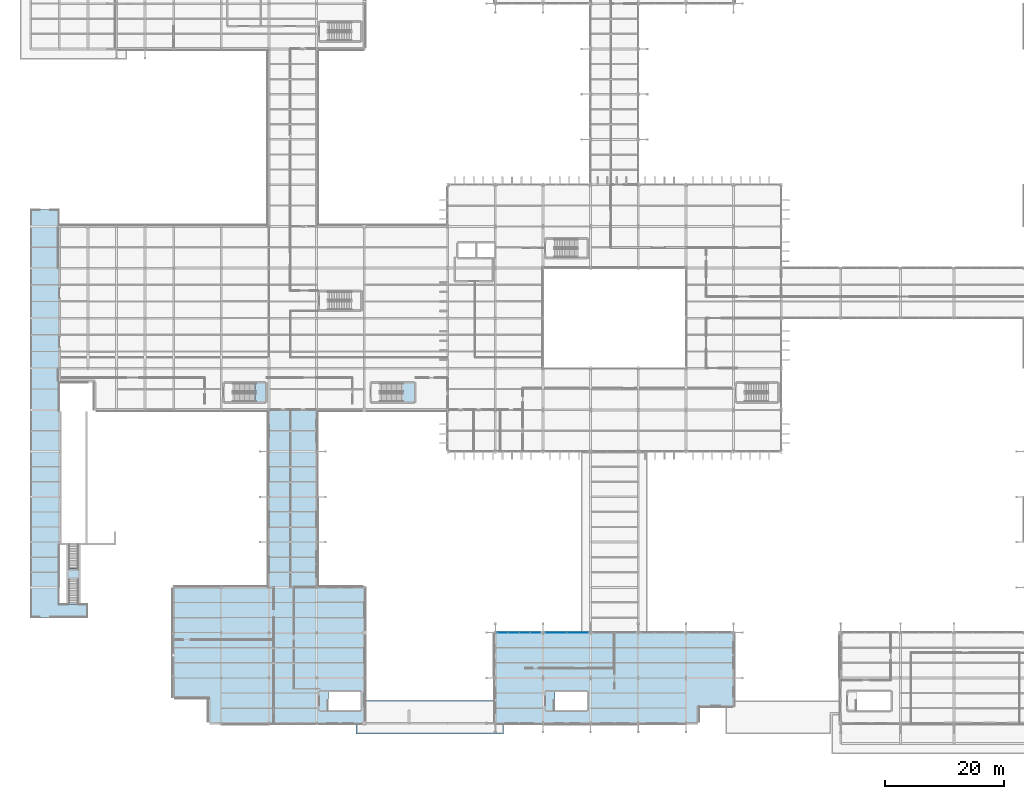
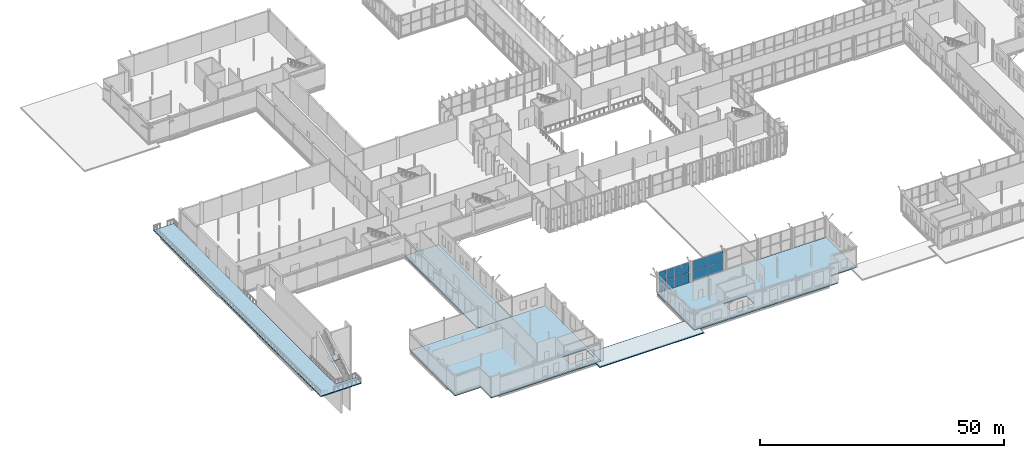
# One storey, part 99 of 147: 12 plates, 8 slabs, 5 elements without a shape of their own.
"""IFC4 building model written with IfcOpenShell, lengths in metres."""

from ifc_helpers import new_model, si_unit, direction, frame, origin, origin_2d, place, context, subcontext, project, spatial, polyline, rectangle, outline, extrude, material, layer, layer_set, type_object, element, aggregate, save


model = new_model("IFC4")

# Units and contexts
model_context = context("Model", 3, precision=1e-05, world=origin(), true_north=direction((0.0, 1.0)))
body_context = subcontext(model_context, "Body", "Model", "MODEL_VIEW")
ifc_project = project(units=[si_unit("LENGTHUNIT", "METRE"), si_unit("AREAUNIT", "SQUARE_METRE"), si_unit("VOLUMEUNIT", "CUBIC_METRE"), si_unit("PLANEANGLEUNIT", "RADIAN"), si_unit("MASSUNIT", "GRAM", prefix="KILO")], contexts=[model_context])

# Site, building, storey
site_placement = place(None, origin())
site = spatial("IfcSite", under=ifc_project, at=site_placement, CompositionType="ELEMENT")
building_placement = place(site_placement, origin())
building = spatial("IfcBuilding", under=site, at=building_placement, Name="Vekula Escarpment Museum", CompositionType="ELEMENT")
storey_placement = place(building_placement, frame((0.0, 0.0, 7.800048828125)))
storey = spatial("IfcBuildingStorey", under=building, at=storey_placement, Name="L02", CompositionType="ELEMENT", Elevation=7.800048828125)

# Curtain wall, plates
ifc_material_1 = material(Name="Aluminium thermally broken framing", Category="aluminium")
ifc_layer_1 = layer(ifc_material_1, 0.179931640625)
ifc_layer_set_1 = layer_set([ifc_layer_1], Name="Aluminium thermally broken framing")
curtain_wall_type_1 = type_object("IfcCurtainWallType", Name="CW-SYS-08", PredefinedType="NOTDEFINED", material=ifc_layer_set_1)
curtain_wall_1_placement = place(storey_placement, origin())
curtain_wall_1 = element("IfcCurtainWall", 1, at=curtain_wall_1_placement, inside=storey, type_object=curtain_wall_type_1, Name="Curtain Wall CW-L02-098", PredefinedType="NOTDEFINED")
ifc_material_2 = material(Name="Triple UV-filtered museum gallery glass", Category="glass")
ifc_layer_2 = layer(ifc_material_2, 0.035888671875)
ifc_layer_set_2 = layer_set([ifc_layer_2], Name="Triple UV-filtered museum gallery glass")
plate_type_1 = type_object("IfcPlateType", Name="CW-PNL-36", PredefinedType="CURTAIN_PANEL", material=ifc_layer_set_2)
plate_1_placement = place(storey_placement, frame((91.8037109375, 15.199951171875, 0.06494140625), z_axis=(0.0, 0.0, 1.0), x_axis=(-1.0, 0.0, 0.0)))
plate_1 = element("IfcPlate", 2, at=plate_1_placement, type_object=plate_type_1, Name="CW-08 panel 1.1", PredefinedType="CURTAIN_PANEL", context=body_context, shape_type="SweptSolid", body=[
    extrude(rectangle(XDim=3.54248046875, YDim=0.035888671875, at=origin_2d()), origin(), (0.0, 0.0, 1.0), 2.4775390625),
])
plate_2_placement = place(storey_placement, frame((91.8037109375, 15.199951171875, 2.607421875), z_axis=(0.0, 0.0, 1.0), x_axis=(-1.0, 0.0, 0.0)))
plate_2 = element("IfcPlate", 3, at=plate_2_placement, type_object=plate_type_1, Name="CW-08 panel 1.2", PredefinedType="CURTAIN_PANEL", context=body_context, shape_type="SweptSolid", body=[
    extrude(rectangle(XDim=3.54248046875, YDim=0.035888671875, at=origin_2d()), origin(), (0.0, 0.0, 1.0), 2.4775390625),
])
plate_3_placement = place(storey_placement, frame((88.1962890625, 15.199951171875, 0.06494140625), z_axis=(0.0, 0.0, 1.0), x_axis=(-1.0, 0.0, 0.0)))
plate_3 = element("IfcPlate", 4, at=plate_3_placement, type_object=plate_type_1, Name="CW-08 panel 2.1", PredefinedType="CURTAIN_PANEL", context=body_context, shape_type="SweptSolid", body=[
    extrude(rectangle(XDim=3.54248046875, YDim=0.035888671875, at=origin_2d()), origin(), (0.0, 0.0, 1.0), 2.4775390625),
])
plate_4_placement = place(storey_placement, frame((88.1962890625, 15.199951171875, 2.607421875), z_axis=(0.0, 0.0, 1.0), x_axis=(-1.0, 0.0, 0.0)))
plate_4 = element("IfcPlate", 5, at=plate_4_placement, type_object=plate_type_1, Name="CW-08 panel 2.2", PredefinedType="CURTAIN_PANEL", context=body_context, shape_type="SweptSolid", body=[
    extrude(rectangle(XDim=3.54248046875, YDim=0.035888671875, at=origin_2d()), origin(), (0.0, 0.0, 1.0), 2.4775390625),
])
aggregate(curtain_wall_1, [plate_1, plate_2, plate_3, plate_4])

ifc_material_3 = material(Name="Aluminium thermally broken framing", Category="aluminium")
ifc_layer_3 = layer(ifc_material_3, 0.14990234375)
ifc_layer_set_3 = layer_set([ifc_layer_3], Name="Aluminium thermally broken framing")
curtain_wall_type_2 = type_object("IfcCurtainWallType", Name="CW-SYS-09", PredefinedType="NOTDEFINED", material=ifc_layer_set_3)
curtain_wall_2_placement = place(storey_placement, origin())
curtain_wall_2 = element("IfcCurtainWall", 6, at=curtain_wall_2_placement, inside=storey, type_object=curtain_wall_type_2, Name="Curtain Wall CW-L02-099", PredefinedType="NOTDEFINED")
ifc_material_4 = material(Name="Insulated bronze spandrel glass panel", Category="glass")
ifc_layer_4 = layer(ifc_material_4, 0.0400390625)
ifc_layer_set_4 = layer_set([ifc_layer_4], Name="Insulated bronze spandrel glass panel")
plate_type_2 = type_object("IfcPlateType", Name="CW-PNL-40", PredefinedType="CURTAIN_PANEL", material=ifc_layer_set_4)
plate_5_placement = place(storey_placement, frame((84.7138671875, 15.199951171875, 0.06494140625), z_axis=(0.0, 0.0, 1.0), x_axis=(-1.0, 0.0, 0.0)))
plate_5 = element("IfcPlate", 7, at=plate_5_placement, type_object=plate_type_2, Name="CW-09 panel 1.1", PredefinedType="CURTAIN_PANEL", context=body_context, shape_type="SweptSolid", body=[
    extrude(rectangle(XDim=1.722412109375, YDim=0.0400390625, at=origin_2d()), origin(), (0.0, 0.0, 1.0), 2.4775390625),
])
plate_6_placement = place(storey_placement, frame((84.7138671875, 15.199951171875, 2.607421875), z_axis=(0.0, 0.0, 1.0), x_axis=(-1.0, 0.0, 0.0)))
plate_6 = element("IfcPlate", 8, at=plate_6_placement, type_object=plate_type_2, Name="CW-09 panel 1.2", PredefinedType="CURTAIN_PANEL", context=body_context, shape_type="SweptSolid", body=[
    extrude(rectangle(XDim=1.722412109375, YDim=0.0400390625, at=origin_2d()), origin(), (0.0, 0.0, 1.0), 2.4775390625),
])
plate_7_placement = place(storey_placement, frame((82.909912109375, 15.199951171875, 0.06494140625), z_axis=(0.0, 0.0, 1.0), x_axis=(-1.0, 0.0, 0.0)))
plate_7 = element("IfcPlate", 9, at=plate_7_placement, type_object=plate_type_2, Name="CW-09 panel 2.1", PredefinedType="CURTAIN_PANEL", context=body_context, shape_type="SweptSolid", body=[
    extrude(rectangle(XDim=1.7548828125, YDim=0.0400390625, at=origin_2d()), origin(), (0.0, 0.0, 1.0), 2.4775390625),
])
plate_8_placement = place(storey_placement, frame((82.909912109375, 15.199951171875, 2.607421875), z_axis=(0.0, 0.0, 1.0), x_axis=(-1.0, 0.0, 0.0)))
plate_8 = element("IfcPlate", 10, at=plate_8_placement, type_object=plate_type_2, Name="CW-09 panel 2.2", PredefinedType="CURTAIN_PANEL", context=body_context, shape_type="SweptSolid", body=[
    extrude(rectangle(XDim=1.7548828125, YDim=0.0400390625, at=origin_2d()), origin(), (0.0, 0.0, 1.0), 2.4775390625),
])
plate_9_placement = place(storey_placement, frame((81.090087890625, 15.199951171875, 0.06494140625), z_axis=(0.0, 0.0, 1.0), x_axis=(-1.0, 0.0, 0.0)))
plate_9 = element("IfcPlate", 11, at=plate_9_placement, type_object=plate_type_2, Name="CW-09 panel 3.1", PredefinedType="CURTAIN_PANEL", context=body_context, shape_type="SweptSolid", body=[
    extrude(rectangle(XDim=1.7548828125, YDim=0.0400390625, at=origin_2d()), origin(), (0.0, 0.0, 1.0), 2.4775390625),
])
plate_10_placement = place(storey_placement, frame((81.090087890625, 15.199951171875, 2.607421875), z_axis=(0.0, 0.0, 1.0), x_axis=(-1.0, 0.0, 0.0)))
plate_10 = element("IfcPlate", 12, at=plate_10_placement, type_object=plate_type_2, Name="CW-09 panel 3.2", PredefinedType="CURTAIN_PANEL", context=body_context, shape_type="SweptSolid", body=[
    extrude(rectangle(XDim=1.7548828125, YDim=0.0400390625, at=origin_2d()), origin(), (0.0, 0.0, 1.0), 2.4775390625),
])
plate_11_placement = place(storey_placement, frame((79.2861328125, 15.199951171875, 0.06494140625), z_axis=(0.0, 0.0, 1.0), x_axis=(-1.0, 0.0, 0.0)))
plate_11 = element("IfcPlate", 13, at=plate_11_placement, type_object=plate_type_2, Name="CW-09 panel 4.1", PredefinedType="CURTAIN_PANEL", context=body_context, shape_type="SweptSolid", body=[
    extrude(rectangle(XDim=1.722412109375, YDim=0.0400390625, at=origin_2d()), origin(), (0.0, 0.0, 1.0), 2.4775390625),
])
plate_12_placement = place(storey_placement, frame((79.2861328125, 15.199951171875, 2.607421875), z_axis=(0.0, 0.0, 1.0), x_axis=(-1.0, 0.0, 0.0)))
plate_12 = element("IfcPlate", 14, at=plate_12_placement, type_object=plate_type_2, Name="CW-09 panel 4.2", PredefinedType="CURTAIN_PANEL", context=body_context, shape_type="SweptSolid", body=[
    extrude(rectangle(XDim=1.722412109375, YDim=0.0400390625, at=origin_2d()), origin(), (0.0, 0.0, 1.0), 2.4775390625),
])
aggregate(curtain_wall_2, [plate_5, plate_6, plate_7, plate_8, plate_9, plate_10, plate_11, plate_12])

# Slabs
ifc_material_5 = material(Name="Concrete C35/45", Category="concrete")
ifc_layer_5 = layer(ifc_material_5, 0.260009765625)
ifc_layer_set_5 = layer_set([ifc_layer_5], Name="Concrete C35/45")
slab_type_1 = type_object("IfcSlabType", Name="SL-FLR-260", PredefinedType="FLOOR", material=ifc_layer_set_5)
slab_1_placement = place(storey_placement, frame((0.0, 0.0, -0.260009765625)))
element("IfcSlab", 15, at=slab_1_placement, inside=storey, type_object=slab_type_1, Name="Floor Slab W-L02-V4-SW", PredefinedType="FLOOR", context=body_context, shape_type="SweptSolid", body=[
    extrude(outline(polyline([(30.0, 0.0), (56.0, 0.0), (56.0, 22.800048828125), (24.0, 22.800048828125), (24.0, 4.33203125), (30.0, 4.33203125), (30.0, 0.0)]), holes=[polyline([(49.97998046875, 2.199951171875), (55.39990234375, 2.199951171875), (55.39990234375, 5.239990234375), (49.97998046875, 5.239990234375), (49.97998046875, 2.199951171875)])]), origin(), (0.0, 0.0, 1.0), 0.260009765625),
])
slab_2_placement = place(storey_placement, frame((0.0, 0.0, -0.260009765625)))
element("IfcSlab", 16, at=slab_2_placement, inside=storey, type_object=slab_type_1, Name="Floor Slab W-L02-V4-SLK", PredefinedType="FLOOR", context=body_context, shape_type="SweptSolid", body=[
    extrude(outline(polyline([(40.0, 22.800048828125), (48.0, 22.800048828125), (48.0, 52.60009765625), (40.0, 52.60009765625), (40.0, 22.800048828125)])), origin(), (0.0, 0.0, 1.0), 0.260009765625),
])
slab_3_placement = place(storey_placement, frame((0.0, 0.0, -0.260009765625)))
element("IfcSlab", 17, at=slab_3_placement, inside=storey, type_object=slab_type_1, Name="Floor Slab W-L02-V2-S", PredefinedType="FLOOR", context=body_context, shape_type="SweptSolid", body=[
    extrude(outline(polyline([(78.0, 0.0), (112.0, 0.0), (112.0, 2.887939453125), (118.0, 2.887939453125), (118.0, 15.199951171875), (78.0, 15.199951171875), (78.0, 0.0)]), holes=[polyline([(87.97998046875, 2.199951171875), (93.39990234375, 2.199951171875), (93.39990234375, 5.239990234375), (87.97998046875, 5.239990234375), (87.97998046875, 2.199951171875)])]), origin(), (0.0, 0.0, 1.0), 0.260009765625),
])

# Stair, slab
ifc_material_6 = material(Name="Precast concrete C40/50", Category="concrete")
stair_type_1 = type_object("IfcStairType", Name="STR-AMP-165", PredefinedType="STRAIGHT_RUN_STAIR", material=ifc_material_6)
stair_1_placement = place(storey_placement, origin())
stair_1 = element("IfcStair", 18, at=stair_1_placement, inside=storey, type_object=stair_type_1, Name="South Escarpment Plinth Stair Tier 2 ST-AMP-S2", PredefinedType="STRAIGHT_RUN_STAIR")
ifc_material_7 = material(Name="Concrete C35/45", Category="concrete")
ifc_layer_6 = layer(ifc_material_7, 0.199951171875)
ifc_layer_set_6 = layer_set([ifc_layer_6], Name="Concrete C35/45")
slab_type_2 = type_object("IfcSlabType", Name="SL-LAND-200", PredefinedType="LANDING", material=ifc_layer_set_6)
slab_4_placement = place(storey_placement, frame((0.0, 0.0, 2.5)))
slab_4 = element("IfcSlab", 19, at=slab_4_placement, type_object=slab_type_2, Name="ST-AMP-S2 landing 1", PredefinedType="LANDING", context=body_context, shape_type="SweptSolid", body=[
    extrude(outline(polyline([(6.14990234375, 24.0), (8.25, 24.0), (8.25, 25.929931640625), (6.14990234375, 25.929931640625), (6.14990234375, 24.0)])), origin(), (0.0, 0.0, 1.0), 0.199951171875),
])
aggregate(stair_1, [slab_4])

ifc_material_8 = material(Name="Concrete C35/45", Category="concrete")
stair_type_2 = type_object("IfcStairType", Name="STR-TYPE-142", PredefinedType="HALF_TURN_STAIR", material=ifc_material_8)
stair_2_placement = place(storey_placement, origin())
stair_2 = element("IfcStair", 20, at=stair_2_placement, inside=storey, type_object=stair_type_2, Name="L02 Central West Exit Stair ST-01", PredefinedType="HALF_TURN_STAIR")
slab_5_placement = place(storey_placement, frame((0.0, 0.0, 2.5)))
slab_5 = element("IfcSlab", 21, at=slab_5_placement, type_object=slab_type_2, Name="ST-01 landing 1", PredefinedType="LANDING", context=body_context, shape_type="SweptSolid", body=[
    extrude(outline(polyline([(62.449951171875, 53.909912109375), (64.489990234375, 53.909912109375), (64.489990234375, 57.1298828125), (62.449951171875, 57.1298828125), (62.449951171875, 53.909912109375)])), origin(), (0.0, 0.0, 1.0), 0.199951171875),
])
aggregate(stair_2, [slab_5])

stair_3_placement = place(storey_placement, origin())
stair_3 = element("IfcStair", 22, at=stair_3_placement, inside=storey, type_object=stair_type_2, Name="L02 Plinth West Exit Stair ST-04", PredefinedType="HALF_TURN_STAIR")
slab_6_placement = place(storey_placement, frame((0.0, 0.0, 2.5)))
slab_6 = element("IfcSlab", 23, at=slab_6_placement, type_object=slab_type_2, Name="ST-04 landing 1", PredefinedType="LANDING", context=body_context, shape_type="SweptSolid", body=[
    extrude(outline(polyline([(37.75, 53.909912109375), (39.489990234375, 53.909912109375), (39.489990234375, 57.1298828125), (37.75, 57.1298828125), (37.75, 53.909912109375)])), origin(), (0.0, 0.0, 1.0), 0.199951171875),
])
aggregate(stair_3, [slab_6])

# Slabs
ifc_material_9 = material(Name="Concrete C35/45", Category="concrete")
ifc_layer_7 = layer(ifc_material_9, 0.199951171875)
ifc_layer_set_7 = layer_set([ifc_layer_7], Name="Concrete C35/45")
slab_type_3 = type_object("IfcSlabType", Name="SL-ROOF-200", PredefinedType="ROOF", material=ifc_layer_set_7)
slab_7_placement = place(storey_placement, frame((0.0, 0.0, -0.199951171875)))
element("IfcSlab", 24, at=slab_7_placement, inside=storey, type_object=slab_type_3, Name="Overhanging Eave Roof Slab R-L02-FORESW", PredefinedType="ROOF", context=body_context, shape_type="SweptSolid", body=[
    extrude(outline(polyline([(54.639892578125, -0.030029296875), (56.030029296875, -0.030029296875), (56.030029296875, 3.800048828125), (77.969970703125, 3.800048828125), (77.969970703125, -0.030029296875), (79.360107421875, -0.030029296875), (79.360107421875, -1.800048828125), (54.639892578125, -1.800048828125), (54.639892578125, -0.030029296875)])), origin(), (0.0, 0.0, 1.0), 0.199951171875),
])
ifc_material_10 = material(Name="Precast concrete C40/50", Category="concrete")
ifc_layer_8 = layer(ifc_material_10, 0.219970703125)
ifc_layer_set_8 = layer_set([ifc_layer_8], Name="Precast concrete C40/50")
slab_type_4 = type_object("IfcSlabType", Name="SL-TER-220", PredefinedType="FLOOR", material=ifc_layer_set_8)
slab_8_placement = place(storey_placement, frame((0.0, 0.0, -0.219970703125)))
element("IfcSlab", 25, at=slab_8_placement, inside=storey, type_object=slab_type_4, Name="Walkable Terrace Slab T-L02-STEP1", PredefinedType="FLOOR", context=body_context, shape_type="SweptSolid", body=[
    extrude(outline(polyline([(0.0, 17.760009765625), (9.580078125, 17.760009765625), (9.580078125, 20.02001953125), (4.780029296875, 20.02001953125), (4.780029296875, 86.239990234375), (0.0, 86.239990234375), (0.0, 17.760009765625)])), origin(), (0.0, 0.0, 1.0), 0.219970703125),
])

save(model, "model.ifc")
